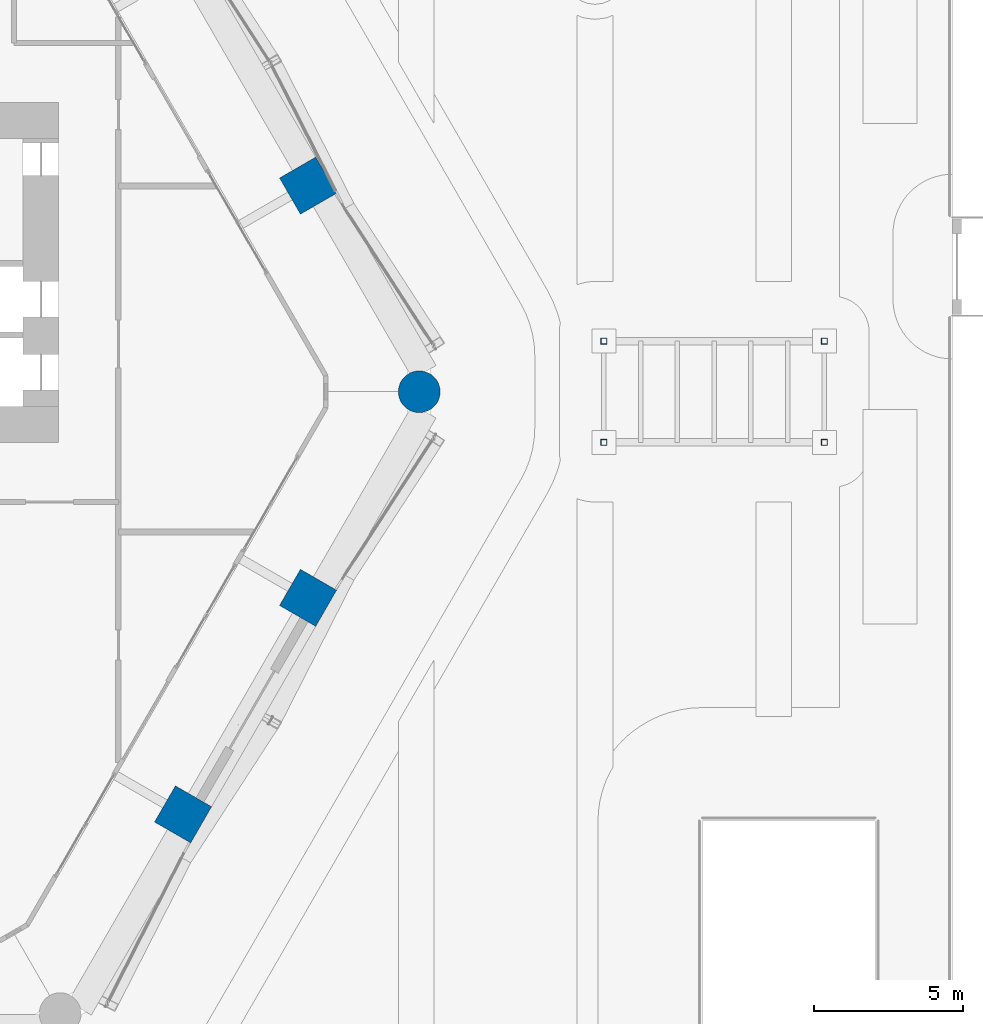
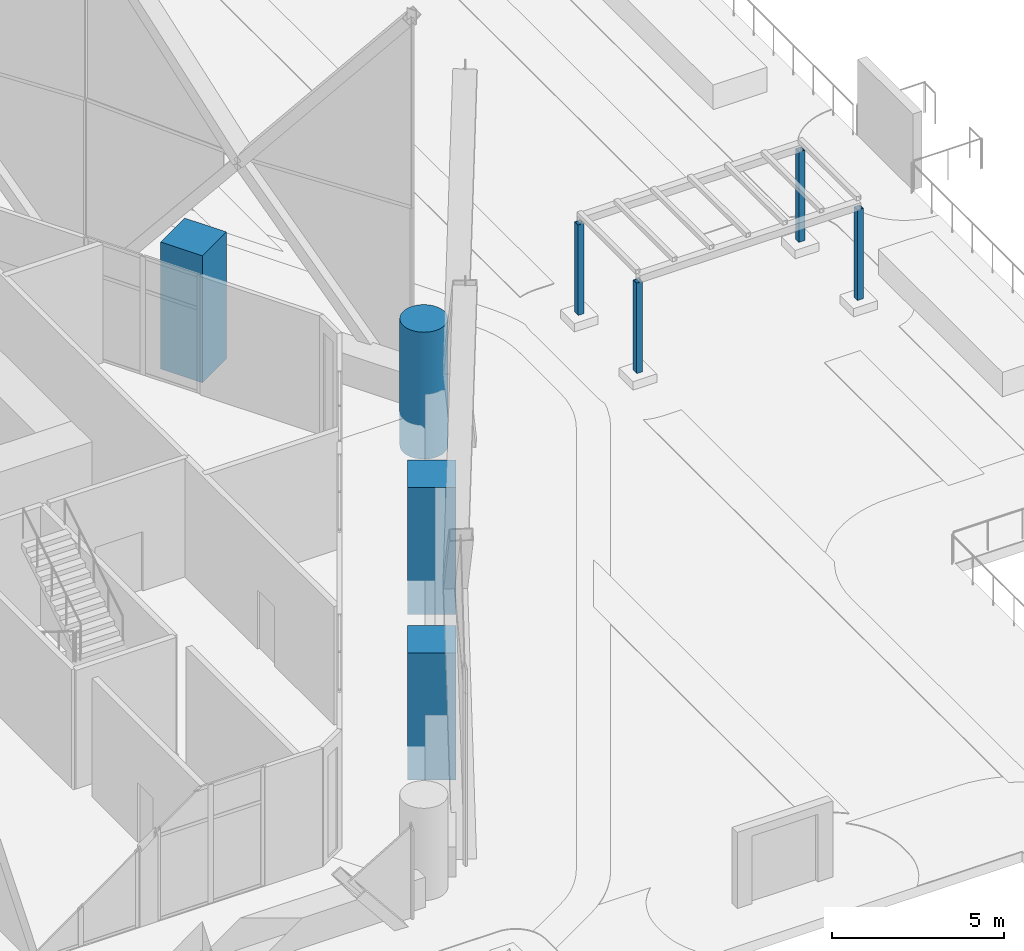
# One storey, part 4 of 71: 8 columns.
"""IFC4 building model written with IfcOpenShell, lengths in metres."""

from ifc_helpers import new_model, si_unit, direction, frame, origin, origin_2d, place, context, subcontext, project, spatial, rectangle, hollow_rectangle, circle, extrude, material, material_profile, profile_set, type_object, element, save


model = new_model("IFC4")

# Units and contexts
model_context = context("Model", 3, precision=1e-05, world=origin(), true_north=direction((0.0, 1.0)))
body_context = subcontext(model_context, "Body", "Model", "MODEL_VIEW")
ifc_project = project(units=[si_unit("LENGTHUNIT", "METRE"), si_unit("AREAUNIT", "SQUARE_METRE"), si_unit("VOLUMEUNIT", "CUBIC_METRE"), si_unit("PLANEANGLEUNIT", "RADIAN"), si_unit("MASSUNIT", "GRAM", prefix="KILO")], contexts=[model_context])

# Site, building, storey
site_placement = place(None, origin())
site = spatial("IfcSite", under=ifc_project, at=site_placement, CompositionType="ELEMENT")
building_placement = place(site_placement, origin())
building = spatial("IfcBuilding", under=site, at=building_placement, Name="Ostrander Bayou Hotel Tower", CompositionType="ELEMENT")
storey_placement = place(building_placement, frame((0.0, 0.0, 10.0)))
storey = spatial("IfcBuildingStorey", under=building, at=storey_placement, Name="L02", CompositionType="ELEMENT", Elevation=10.0)

# Columns
ifc_material_1 = material(Name="Concrete f'c 70 MPa", Category="concrete")
ifc_material_profile_1 = material_profile(ifc_material_1, circle(Radius=0.699951171875, at=origin_2d()))
ifc_profile_set_1 = profile_set([ifc_material_profile_1], Name="Concrete f'c 70 MPa")
column_type_1 = type_object("IfcColumnType", Name="C1 round column 1400 mm f'c 70 MPa", PredefinedType="COLUMN", material=ifc_profile_set_1)
column_placement = place(storey_placement, frame((24.101318359375, 0.0, -1.199951171875), z_axis=(0.0, 0.0, 1.0), x_axis=(1.0, 0.0, 0.0)))
element("IfcColumn", 1, at=column_placement, inside=storey, type_object=column_type_1, Name="C1 L02 K4", PredefinedType="COLUMN", context=body_context, shape_type="SweptSolid", body=[
    extrude(circle(Radius=0.699951171875, at=origin_2d()), origin(), (0.0, 0.0, 1.0), 4.5),
])
ifc_material_2 = material(Name="Concrete f'c 70 MPa", Category="concrete")
ifc_material_profile_2 = material_profile(ifc_material_2, rectangle(XDim=1.39990234375, YDim=1.39990234375, at=origin_2d()))
ifc_profile_set_2 = profile_set([ifc_material_profile_2], Name="Concrete f'c 70 MPa")
column_type_2 = type_object("IfcColumnType", Name="C2 square column 1400 x 1400 mm f'c 70 MPa", PredefinedType="COLUMN", material=ifc_profile_set_2)
for number, where, z_axis, x_axis, name in (
    (2, (16.17529296875, -14.183349609375, -1.199951171875), (0.0, 0.0, 1.0), (-0.5, -0.866025403784, 0.0), "C2 L02 SE1"),
    (3, (20.370849609375, -6.916748046875, -1.199951171875), (0.0, 0.0, 1.0), (-0.5, -0.866025403784, 0.0), "C2 L02 SE2"),
    (4, (20.370849609375, 6.916748046875, -1.199951171875), (0.0, 0.0, 1.0), (0.5, -0.866025403784, 0.0), "C2 L02 NE1"),
):
    element("IfcColumn", number, at=place(storey_placement, frame(where, z_axis=z_axis, x_axis=x_axis)), inside=storey, type_object=column_type_2, Name=name, PredefinedType="COLUMN", context=body_context, shape_type="SweptSolid", body=[
        extrude(rectangle(XDim=1.39990234375, YDim=1.39990234375, at=origin_2d()), origin(), (0.0, 0.0, 1.0), 4.5),
    ])
ifc_material_3 = material(Name="Steel ASTM A500 Gr C", Category="steel")
ifc_material_profile_3 = material_profile(ifc_material_3, hollow_rectangle(XDim=0.203125, YDim=0.203125, WallThickness=0.01171875, at=origin_2d()))
ifc_profile_set_3 = profile_set([ifc_material_profile_3], Name="Steel ASTM A500 Gr C")
column_type_3 = type_object("IfcColumnType", Name="PG1 pergola post HSS8x8x1/2", PredefinedType="COLUMN", material=ifc_profile_set_3)
for number, where, z_axis, x_axis, name in (
    (5, (30.300048828125, -1.699951171875, 0.300048828125), (0.0, 0.0, 1.0), (1.0, 0.0, 0.0), "PG1 pergola 5 post 1"),
    (6, (37.699951171875, -1.699951171875, 0.300048828125), (0.0, 0.0, 1.0), (1.0, 0.0, 0.0), "PG1 pergola 5 post 2"),
    (7, (37.699951171875, 1.699951171875, 0.300048828125), (0.0, 0.0, 1.0), (1.0, 0.0, 0.0), "PG1 pergola 5 post 3"),
    (8, (30.300048828125, 1.699951171875, 0.300048828125), (0.0, 0.0, 1.0), (1.0, 0.0, 0.0), "PG1 pergola 5 post 4"),
):
    element("IfcColumn", number, at=place(storey_placement, frame(where, z_axis=z_axis, x_axis=x_axis)), inside=storey, type_object=column_type_3, Name=name, PredefinedType="COLUMN", context=body_context, shape_type="SweptSolid", body=[
        extrude(hollow_rectangle(XDim=0.203125, YDim=0.203125, WallThickness=0.01171875, at=origin_2d()), origin(), (0.0, 0.0, 1.0), 3.199951171875),
    ])

save(model, "model.ifc")
